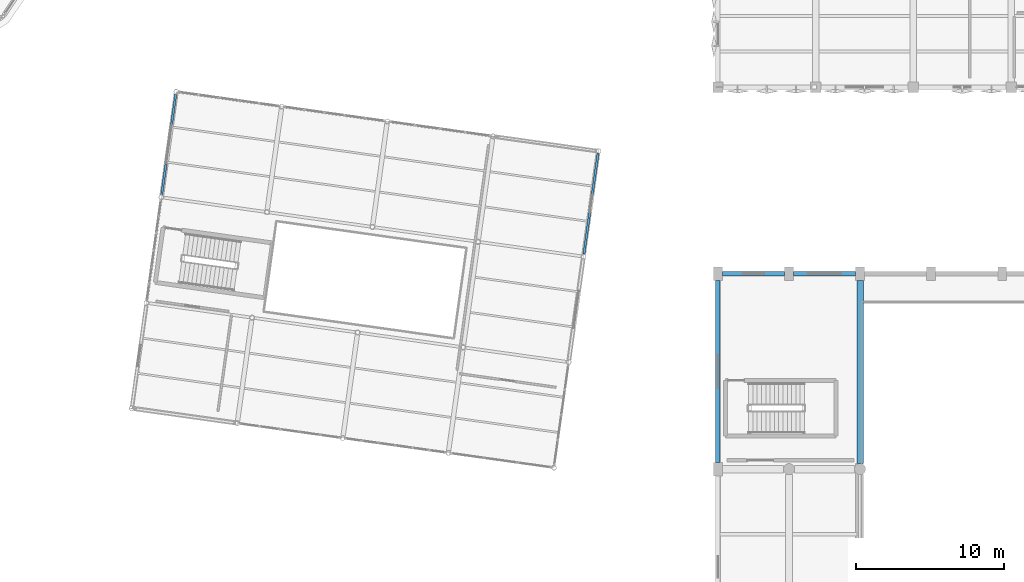
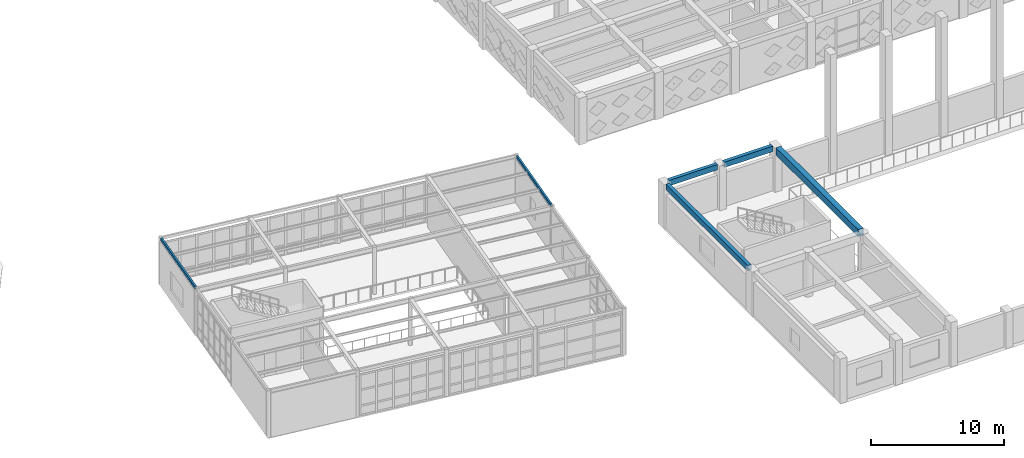
# One storey, part 36 of 80: 6 beams.
"""IFC4 building model written with IfcOpenShell, lengths in metres."""

from ifc_helpers import new_model, si_unit, direction, frame, origin, origin_2d, place, context, subcontext, project, spatial, rectangle, hollow_rectangle, extrude, material, material_profile, profile_set, type_object, element, save


model = new_model("IFC4")

# Units and contexts
model_context = context("Model", 3, precision=1e-05, world=origin(), true_north=direction((0.0, 1.0)))
body_context = subcontext(model_context, "Body", "Model", "MODEL_VIEW")
ifc_project = project(units=[si_unit("LENGTHUNIT", "METRE"), si_unit("AREAUNIT", "SQUARE_METRE"), si_unit("VOLUMEUNIT", "CUBIC_METRE"), si_unit("PLANEANGLEUNIT", "RADIAN"), si_unit("MASSUNIT", "GRAM", prefix="KILO")], contexts=[model_context])

# Site, building, storey
site_placement = place(None, origin())
site = spatial("IfcSite", under=ifc_project, at=site_placement, CompositionType="ELEMENT")
building_placement = place(site_placement, origin())
building = spatial("IfcBuilding", under=site, at=building_placement, Name="Kharisveld Research Institute", CompositionType="ELEMENT")
storey_placement = place(building_placement, frame((0.0, 0.0, 5.10009765625)))
storey = spatial("IfcBuildingStorey", under=building, at=storey_placement, Name="L01", CompositionType="ELEMENT", Elevation=5.10009765625)

# Beams
ifc_material_1 = material(Name="Concrete C40/50", Category="concrete")
ifc_material_profile_1 = material_profile(ifc_material_1, rectangle(XDim=0.449951171875, YDim=0.64990234375, at=origin_2d()))
ifc_profile_set_1 = profile_set([ifc_material_profile_1], Name="Concrete C40/50")
beam_type_1 = type_object("IfcBeamType", Name="BM_RC_450x650", PredefinedType="BEAM", material=ifc_profile_set_1)
beam_1_placement = place(storey_placement, frame((124.199951171875, 13.77490234375, 3.7548828125), z_axis=(0.0, 1.0, 0.0), x_axis=(-1.0, 0.0, 0.0)))
element("IfcBeam", 1, at=beam_1_placement, inside=storey, type_object=beam_type_1, Name="BM:V5:L01:V2_1", PredefinedType="BEAM", context=body_context, shape_type="SweptSolid", body=[
    extrude(rectangle(XDim=0.449951171875, YDim=0.64990234375, at=origin_2d()), origin(), (0.0, 0.0, 1.0), 12.375),
])
ifc_material_2 = material(Name="Concrete C40/50", Category="concrete")
ifc_material_profile_2 = material_profile(ifc_material_2, rectangle(XDim=0.300048828125, YDim=0.5, at=origin_2d()))
ifc_profile_set_2 = profile_set([ifc_material_profile_2], Name="Concrete C40/50")
beam_type_2 = type_object("IfcBeamType", Name="SP_RC_300x500", PredefinedType="SPANDREL", material=ifc_profile_set_2)
beam_2_placement = place(storey_placement, frame((114.89990234375, 26.60009765625, 3.829833984375), z_axis=(1.0, 0.0, 0.0), x_axis=(0.0, 1.0, 0.0)))
element("IfcBeam", 2, at=beam_2_placement, inside=storey, type_object=beam_type_2, Name="BM:V5:L01:U0_2", PredefinedType="SPANDREL", context=body_context, shape_type="SweptSolid", body=[
    extrude(rectangle(XDim=0.300048828125, YDim=0.5, at=origin_2d()), origin(), (0.0, 0.0, 1.0), 4.2001953125),
])
beam_3_placement = place(storey_placement, frame((119.699951171875, 26.60009765625, 3.829833984375), z_axis=(1.0, 0.0, 0.0), x_axis=(0.0, 1.0, 0.0)))
element("IfcBeam", 3, at=beam_3_placement, inside=storey, type_object=beam_type_2, Name="BM:V5:L01:U1_2", PredefinedType="SPANDREL", context=body_context, shape_type="SweptSolid", body=[
    extrude(rectangle(XDim=0.300048828125, YDim=0.5, at=origin_2d()), origin(), (0.0, 0.0, 1.0), 4.199951171875),
])
beam_4_placement = place(storey_placement, frame((114.60009765625, 13.85009765625, 3.829833984375), z_axis=(0.0, 1.0, 0.0), x_axis=(-1.0, 0.0, 0.0)))
element("IfcBeam", 4, at=beam_4_placement, inside=storey, type_object=beam_type_2, Name="BM:V5:L01:V0_1", PredefinedType="SPANDREL", context=body_context, shape_type="SweptSolid", body=[
    extrude(rectangle(XDim=0.300048828125, YDim=0.5, at=origin_2d()), origin(), (0.0, 0.0, 1.0), 12.2998046875),
])
ifc_material_3 = material(Name="Steel S355J2H", Category="steel")
ifc_material_profile_3 = material_profile(ifc_material_3, hollow_rectangle(XDim=0.14990234375, YDim=0.25, WallThickness=0.010009765625, at=origin_2d()))
ifc_profile_set_3 = profile_set([ifc_material_profile_3], Name="Steel S355J2H")
beam_type_3 = type_object("IfcBeamType", Name="SP_ST_RHS250", PredefinedType="SPANDREL", material=ifc_profile_set_3)
beam_5_placement = place(storey_placement, frame((77.026611328125, 31.920166015625, 4.184814453125), z_axis=(0.139179214138, 0.990267209571, 0.0), x_axis=(-0.990267209571, 0.139179214138, 0.0)))
element("IfcBeam", 5, at=beam_5_placement, inside=storey, type_object=beam_type_3, Name="BM:V4:L01:V0_2", PredefinedType="SPANDREL", context=body_context, shape_type="SweptSolid", body=[
    extrude(hollow_rectangle(XDim=0.14990234375, YDim=0.25, WallThickness=0.010009765625, at=origin_2d()), origin(), (0.0, 0.0, 1.0), 6.876220703125),
])
beam_6_placement = place(storey_placement, frame((105.54638671875, 27.912109375, 4.184814453125), z_axis=(0.139184107758, 0.990266521775, 0.0), x_axis=(-0.990266521775, 0.139184107758, 0.0)))
element("IfcBeam", 6, at=beam_6_placement, inside=storey, type_object=beam_type_3, Name="BM:V4:L01:V4_2", PredefinedType="SPANDREL", context=body_context, shape_type="SweptSolid", body=[
    extrude(hollow_rectangle(XDim=0.14990234375, YDim=0.25, WallThickness=0.010009765625, at=origin_2d()), origin(), (0.0, 0.0, 1.0), 6.8759765625),
])

save(model, "model.ifc")
